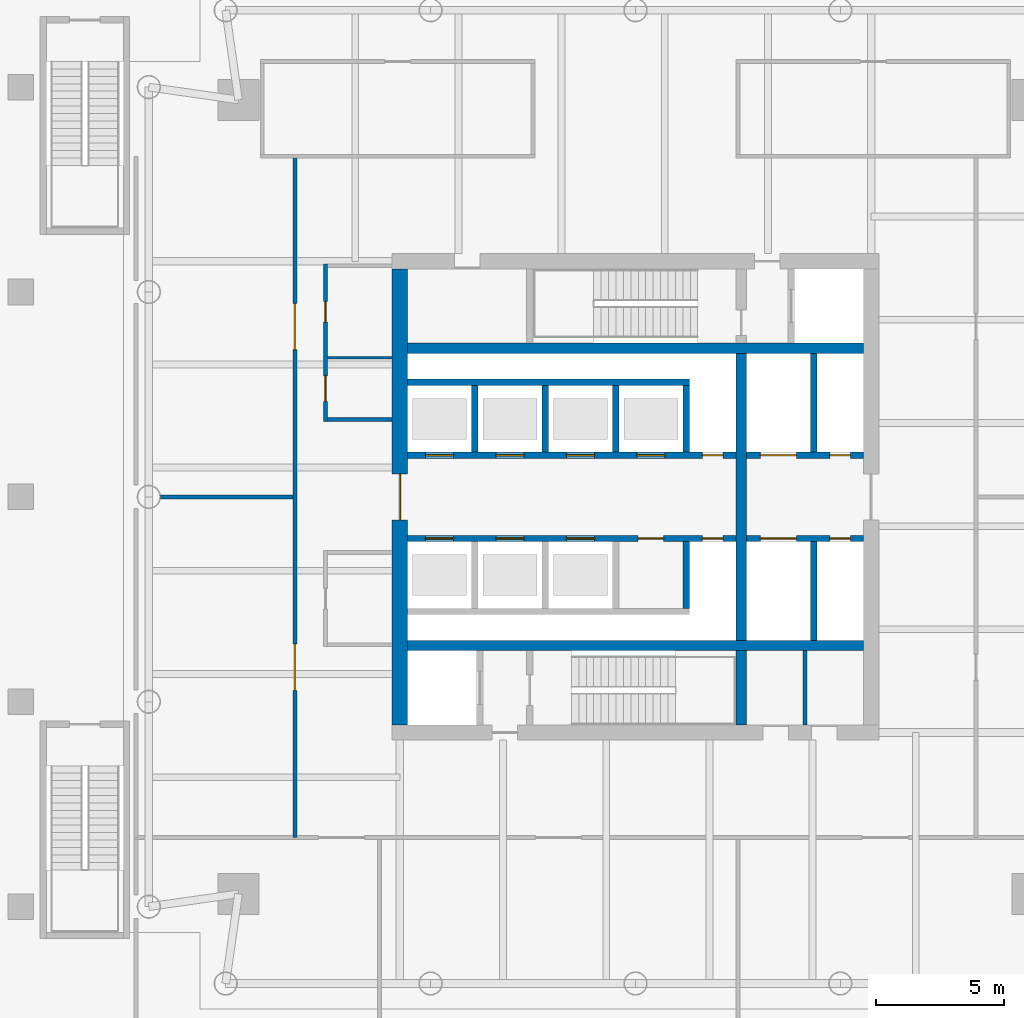
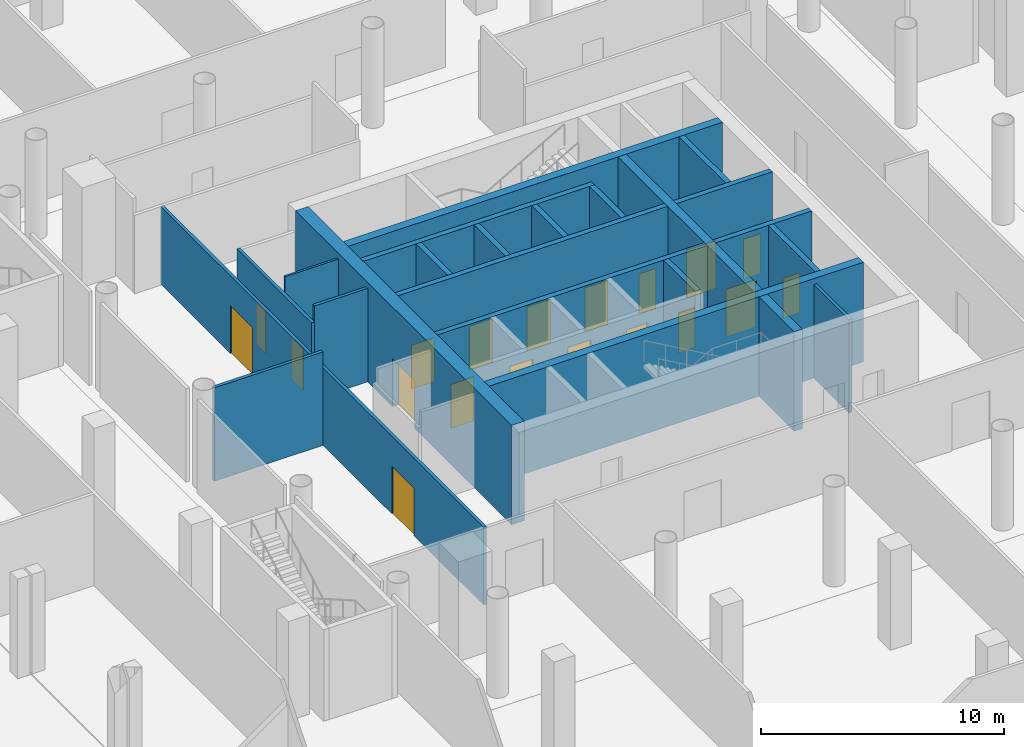
# One storey, part 13 of 22: 23 walls, 19 doors, 19 openings.
"""IFC4 building model written with IfcOpenShell, lengths in metres."""

from ifc_helpers import new_model, si_unit, direction, frame, frame_2d, origin, place, context, subcontext, project, spatial, rectangle, extrude, material, layer, layer_set, type_object, element, fill, save


model = new_model("IFC4")

# Units and contexts
model_context = context("Model", 3, precision=1e-05, world=origin(), true_north=direction((0.0, 1.0)))
body_context = subcontext(model_context, "Body", "Model", "MODEL_VIEW")
ifc_project = project(units=[si_unit("LENGTHUNIT", "METRE"), si_unit("AREAUNIT", "SQUARE_METRE"), si_unit("VOLUMEUNIT", "CUBIC_METRE"), si_unit("PLANEANGLEUNIT", "RADIAN"), si_unit("MASSUNIT", "GRAM", prefix="KILO")], contexts=[model_context])

# Site, building, storey
site_placement = place(None, origin())
site = spatial("IfcSite", under=ifc_project, at=site_placement, CompositionType="ELEMENT")
building_placement = place(site_placement, origin())
building = spatial("IfcBuilding", under=site, at=building_placement, Name="Ostroluk Exchange", CompositionType="ELEMENT")
storey_placement = place(building_placement, frame((0.0, 0.0, -5.0)))
storey = spatial("IfcBuildingStorey", under=building, at=storey_placement, Name="B1", CompositionType="ELEMENT", Elevation=-5.0)

# Walls
ifc_material_1 = material(Name="Concrete blockwork", Category="masonry")
ifc_layer_1 = layer(ifc_material_1, 0.10009765625)
ifc_layer_set_1 = layer_set([ifc_layer_1], Name="Blockwork WC wall 100")
wall_type_1 = type_object("IfcWallType", Name="Blockwork WC wall 100", PredefinedType="SOLIDWALL", material=ifc_layer_set_1)
wall_1_placement = place(storey_placement, frame((104.97509765625, 51.425048828125, 0.0), z_axis=(0.0, 0.0, 1.0), x_axis=(1.0, 0.0, 0.0)))
element("IfcWall", 1, at=wall_1_placement, inside=storey, type_object=wall_type_1, Name="Blockwork WC wall", PredefinedType="SOLIDWALL", context=body_context, shape_type="SweptSolid", body=[
    extrude(rectangle(XDim=2.52490234375, YDim=0.10009765625, at=frame_2d((1.262451171875, 0.0))), origin(), (0.0, 0.0, 1.0), 4.699951171875),
])
ifc_material_2 = material(Name="Concrete blockwork", Category="masonry")
ifc_layer_2 = layer(ifc_material_2, 0.14990234375)
ifc_layer_set_2 = layer_set([ifc_layer_2], Name="Blockwork plant room wall 150")
wall_type_2 = type_object("IfcWallType", Name="Blockwork plant room wall 150", PredefinedType="SOLIDWALL", material=ifc_layer_set_2)
wall_2_placement = place(storey_placement, frame((123.614990234375, 37.10009765625, 0.0), z_axis=(0.0, 0.0, 1.0), x_axis=(0.0, 1.0, 0.0)))
element("IfcWall", 2, at=wall_2_placement, inside=storey, type_object=wall_type_2, Name="Core room wall", PredefinedType="SOLIDWALL", context=body_context, shape_type="SweptSolid", body=[
    extrude(rectangle(XDim=2.89990234375, YDim=0.14990234375, at=frame_2d((1.449951171875, 0.0))), origin(), (0.0, 0.0, 1.0), 4.699951171875),
])
ifc_material_3 = material(Name="Concrete C50/60", Category="concrete")
ifc_layer_3 = layer(ifc_material_3, 0.39990234375)
ifc_layer_set_3 = layer_set([ifc_layer_3], Name="Core cross wall 400 C50/60")
wall_type_3 = type_object("IfcWallType", Name="Core cross wall 400 C50/60", PredefinedType="SHEAR", material=ifc_layer_set_3)
for number, where, z_axis, x_axis, name in (
    (3, (108.10009765625, 40.199951171875, 0.0), (0.0, 0.0, 1.0), (1.0, 0.0, 0.0), "T2 core wall XS"),
    (4, (108.10009765625, 51.800048828125, 0.0), (0.0, 0.0, 1.0), (1.0, 0.0, 0.0), "T2 core wall XN"),
):
    element("IfcWall", number, at=place(storey_placement, frame(where, z_axis=z_axis, x_axis=x_axis)), inside=storey, type_object=wall_type_3, Name=name, PredefinedType="SHEAR", context=body_context, shape_type="SweptSolid", body=[
        extrude(rectangle(XDim=17.7998046875, YDim=0.39990234375, at=frame_2d((8.89990234375, 0.0))), origin(), (0.0, 0.0, 1.0), 5.0),
    ])
wall_3_placement = place(storey_placement, frame((121.1298828125, 37.10009765625, 0.0), z_axis=(0.0, 0.0, 1.0), x_axis=(0.0, 1.0, 0.0)))
element("IfcWall", 5, at=wall_3_placement, inside=storey, type_object=wall_type_3, Name="T2 core wall YE1", PredefinedType="SHEAR", context=body_context, shape_type="SweptSolid", body=[
    extrude(rectangle(XDim=2.89990234375, YDim=0.39990234375, at=frame_2d((1.449951171875, 0.0))), origin(), (0.0, 0.0, 1.0), 5.0),
])
wall_4_placement = place(storey_placement, frame((121.1298828125, 40.39990234375, 0.0), z_axis=(0.0, 0.0, 1.0), x_axis=(0.0, 1.0, 0.0)))
element("IfcWall", 6, at=wall_4_placement, inside=storey, type_object=wall_type_3, Name="T2 core wall YE2", PredefinedType="SHEAR", context=body_context, shape_type="SweptSolid", body=[
    extrude(rectangle(XDim=11.2001953125, YDim=0.39990234375, at=frame_2d((5.60009765625, 0.0))), origin(), (0.0, 0.0, 1.0), 5.0),
])
ifc_material_4 = material(Name="Concrete C40/50", Category="concrete")
ifc_layer_4 = layer(ifc_material_4, 0.25)
ifc_layer_set_4 = layer_set([ifc_layer_4], Name="Core shaft wall 250")
wall_type_4 = type_object("IfcWallType", Name="Core shaft wall 250", PredefinedType="SHEAR", material=ifc_layer_set_4)
for number, where, z_axis, x_axis, name in (
    (7, (110.72509765625, 47.75, 0.0), (0.0, 0.0, 1.0), (0.0, 1.0, 0.0), "Lift shaft wall"),
    (8, (113.47509765625, 47.75, 0.0), (0.0, 0.0, 1.0), (0.0, 1.0, 0.0), "Lift shaft wall"),
    (9, (116.22509765625, 47.75, 0.0), (0.0, 0.0, 1.0), (0.0, 1.0, 0.0), "Lift shaft wall"),
    (10, (118.97509765625, 47.75, 0.0), (0.0, 0.0, 1.0), (0.0, 1.0, 0.0), "Lift shaft wall"),
):
    element("IfcWall", number, at=place(storey_placement, frame(where, z_axis=z_axis, x_axis=x_axis)), inside=storey, type_object=wall_type_4, Name=name, PredefinedType="SHEAR", context=body_context, shape_type="SweptSolid", body=[
        extrude(rectangle(XDim=2.60009765625, YDim=0.25, at=frame_2d((1.300048828125, 0.0))), origin(), (0.0, 0.0, 1.0), 5.0),
    ])
wall_5_placement = place(storey_placement, frame((108.10009765625, 50.47509765625, 0.0), z_axis=(0.0, 0.0, 1.0), x_axis=(1.0, 0.0, 0.0)))
element("IfcWall", 11, at=wall_5_placement, inside=storey, type_object=wall_type_4, Name="Lift shaft wall", PredefinedType="SHEAR", context=body_context, shape_type="SweptSolid", body=[
    extrude(rectangle(XDim=11.0, YDim=0.25, at=frame_2d((5.5, 0.0))), origin(), (0.0, 0.0, 1.0), 5.0),
])

# Wall, openings, doors
wall_6_placement = place(storey_placement, frame((108.10009765625, 47.625, 0.0), z_axis=(0.0, 0.0, 1.0), x_axis=(1.0, 0.0, 0.0)))
wall_6 = element("IfcWall", 12, at=wall_6_placement, inside=storey, type_object=wall_type_4, Name="Lift shaft front wall", PredefinedType="SHEAR", context=body_context, shape_type="SweptSolid", body=[
    extrude(rectangle(XDim=12.829833984375, YDim=0.25, at=frame_2d((6.4150390625, 0.0))), origin(), (0.0, 0.0, 1.0), 5.0),
])
opening_1_placement = place(wall_6_placement, frame((0.699951171875, 0.0, 0.0)))
opening_1 = element("IfcOpeningElement", 13, at=opening_1_placement, cuts=wall_6, Name="Opening LD", PredefinedType="OPENING", context=body_context, shape_type="SweptSolid", body=[
    extrude(rectangle(XDim=1.10009765625, YDim=2.199951171875, at=frame_2d((0.550048828125, 1.10009765625))), frame((0.0, 0.135009765625, 0.0), z_axis=(0.0, -1.0, 0.0), x_axis=(1.0, 0.0, 0.0)), (0.0, 0.0, 1.0), 0.27001953125),
])
opening_2_placement = place(wall_6_placement, frame((3.449951171875, 0.0, 0.0)))
opening_2 = element("IfcOpeningElement", 14, at=opening_2_placement, cuts=wall_6, Name="Opening LD", PredefinedType="OPENING", context=body_context, shape_type="SweptSolid", body=[
    extrude(rectangle(XDim=1.10009765625, YDim=2.199951171875, at=frame_2d((0.550048828125, 1.10009765625))), frame((0.0, 0.135009765625, 0.0), z_axis=(0.0, -1.0, 0.0), x_axis=(1.0, 0.0, 0.0)), (0.0, 0.0, 1.0), 0.27001953125),
])
opening_3_placement = place(wall_6_placement, frame((6.199951171875, 0.0, 0.0)))
opening_3 = element("IfcOpeningElement", 15, at=opening_3_placement, cuts=wall_6, Name="Opening LD", PredefinedType="OPENING", context=body_context, shape_type="SweptSolid", body=[
    extrude(rectangle(XDim=1.10009765625, YDim=2.199951171875, at=frame_2d((0.550048828125, 1.10009765625))), frame((0.0, 0.135009765625, 0.0), z_axis=(0.0, -1.0, 0.0), x_axis=(1.0, 0.0, 0.0)), (0.0, 0.0, 1.0), 0.27001953125),
])
opening_4_placement = place(wall_6_placement, frame((8.949951171875, 0.0, 0.0)))
opening_4 = element("IfcOpeningElement", 16, at=opening_4_placement, cuts=wall_6, Name="Opening LD", PredefinedType="OPENING", context=body_context, shape_type="SweptSolid", body=[
    extrude(rectangle(XDim=1.10009765625, YDim=2.199951171875, at=frame_2d((0.550048828125, 1.10009765625))), frame((0.0, 0.135009765625, 0.0), z_axis=(0.0, -1.0, 0.0), x_axis=(1.0, 0.0, 0.0)), (0.0, 0.0, 1.0), 0.27001953125),
])
opening_5_placement = place(wall_6_placement, frame((11.514892578125, 0.0, 0.0)))
opening_5 = element("IfcOpeningElement", 17, at=opening_5_placement, cuts=wall_6, Name="Opening RD60", PredefinedType="OPENING", context=body_context, shape_type="SweptSolid", body=[
    extrude(rectangle(XDim=0.800048828125, YDim=2.0, at=frame_2d((0.39990234375, 1.0))), frame((0.0, 0.135009765625, 0.0), z_axis=(0.0, -1.0, 0.0), x_axis=(1.0, 0.0, 0.0)), (0.0, 0.0, 1.0), 0.27001953125),
])
ifc_material_5 = material(Name="Stainless steel", Category="steel")
door_type_1 = type_object("IfcDoorType", Name="Lift landing door E 60 1100 x 2200", OperationType="DOUBLE_DOOR_SLIDING", PredefinedType="DOOR", material=ifc_material_5)
door_1_placement = place(opening_1_placement, origin())
door_1 = element("IfcDoor", 18, at=door_1_placement, inside=storey, type_object=door_type_1, Name="Lift HL1 landing door", OperationType="DOUBLE_DOOR_SLIDING", OverallHeight=2.199951171875, OverallWidth=1.10009765625, PredefinedType="DOOR", context=body_context, shape_type="SweptSolid", body=[
    extrude(rectangle(XDim=1.10009765625, YDim=2.199951171875, at=frame_2d((0.550048828125, 1.10009765625))), frame((0.0, 0.02490234375, 0.0), z_axis=(0.0, -1.0, 0.0), x_axis=(1.0, 0.0, 0.0)), (0.0, 0.0, 1.0), 0.050048828125),
])
fill(opening_1, door_1)
door_2_placement = place(opening_2_placement, origin())
door_2 = element("IfcDoor", 19, at=door_2_placement, inside=storey, type_object=door_type_1, Name="Lift HL2 landing door", OperationType="DOUBLE_DOOR_SLIDING", OverallHeight=2.199951171875, OverallWidth=1.10009765625, PredefinedType="DOOR", context=body_context, shape_type="SweptSolid", body=[
    extrude(rectangle(XDim=1.10009765625, YDim=2.199951171875, at=frame_2d((0.550048828125, 1.10009765625))), frame((0.0, 0.02490234375, 0.0), z_axis=(0.0, -1.0, 0.0), x_axis=(1.0, 0.0, 0.0)), (0.0, 0.0, 1.0), 0.050048828125),
])
fill(opening_2, door_2)
door_3_placement = place(opening_3_placement, origin())
door_3 = element("IfcDoor", 20, at=door_3_placement, inside=storey, type_object=door_type_1, Name="Lift HL3 landing door", OperationType="DOUBLE_DOOR_SLIDING", OverallHeight=2.199951171875, OverallWidth=1.10009765625, PredefinedType="DOOR", context=body_context, shape_type="SweptSolid", body=[
    extrude(rectangle(XDim=1.10009765625, YDim=2.199951171875, at=frame_2d((0.550048828125, 1.10009765625))), frame((0.0, 0.02490234375, 0.0), z_axis=(0.0, -1.0, 0.0), x_axis=(1.0, 0.0, 0.0)), (0.0, 0.0, 1.0), 0.050048828125),
])
fill(opening_3, door_3)
door_4_placement = place(opening_4_placement, origin())
door_4 = element("IfcDoor", 21, at=door_4_placement, inside=storey, type_object=door_type_1, Name="Lift HL4 landing door", OperationType="DOUBLE_DOOR_SLIDING", OverallHeight=2.199951171875, OverallWidth=1.10009765625, PredefinedType="DOOR", context=body_context, shape_type="SweptSolid", body=[
    extrude(rectangle(XDim=1.10009765625, YDim=2.199951171875, at=frame_2d((0.550048828125, 1.10009765625))), frame((0.0, 0.02490234375, 0.0), z_axis=(0.0, -1.0, 0.0), x_axis=(1.0, 0.0, 0.0)), (0.0, 0.0, 1.0), 0.050048828125),
])
fill(opening_4, door_4)
ifc_material_6 = material(Name="Steel", Category="steel")
door_type_2 = type_object("IfcDoorType", Name="Riser access door EI 60 800 x 2000", OperationType="SINGLE_SWING_LEFT", PredefinedType="DOOR", material=ifc_material_6)
door_5_placement = place(opening_5_placement, origin())
door_5 = element("IfcDoor", 22, at=door_5_placement, inside=storey, type_object=door_type_2, Name="Riser access door", OperationType="SINGLE_SWING_RIGHT", OverallHeight=2.0, OverallWidth=0.800048828125, PredefinedType="DOOR", context=body_context, shape_type="SweptSolid", body=[
    extrude(rectangle(XDim=0.800048828125, YDim=2.0, at=frame_2d((0.39990234375, 1.0))), frame((0.0, 0.02490234375, 0.0), z_axis=(0.0, -1.0, 0.0), x_axis=(1.0, 0.0, 0.0)), (0.0, 0.0, 1.0), 0.050048828125),
])
fill(opening_5, door_5)

# Wall
wall_7_placement = place(storey_placement, frame((118.97509765625, 44.25, 0.0), z_axis=(0.0, 0.0, 1.0), x_axis=(0.0, -1.0, 0.0)))
element("IfcWall", 23, at=wall_7_placement, inside=storey, type_object=wall_type_4, Name="Lift shaft wall", PredefinedType="SHEAR", context=body_context, shape_type="SweptSolid", body=[
    extrude(rectangle(XDim=2.60009765625, YDim=0.25, at=frame_2d((1.300048828125, 0.0))), origin(), (0.0, 0.0, 1.0), 5.0),
])

# Wall, openings, doors
wall_8_placement = place(storey_placement, frame((108.10009765625, 44.375, 0.0), z_axis=(0.0, 0.0, 1.0), x_axis=(1.0, 0.0, 0.0)))
wall_8 = element("IfcWall", 24, at=wall_8_placement, inside=storey, type_object=wall_type_4, Name="Lift shaft front wall", PredefinedType="SHEAR", context=body_context, shape_type="SweptSolid", body=[
    extrude(rectangle(XDim=12.829833984375, YDim=0.25, at=frame_2d((6.4150390625, 0.0))), origin(), (0.0, 0.0, 1.0), 5.0),
])
opening_6_placement = place(wall_8_placement, frame((0.699951171875, 0.0, 0.0)))
opening_6 = element("IfcOpeningElement", 25, at=opening_6_placement, cuts=wall_8, Name="Opening LD", PredefinedType="OPENING", context=body_context, shape_type="SweptSolid", body=[
    extrude(rectangle(XDim=1.10009765625, YDim=2.199951171875, at=frame_2d((0.550048828125, 1.10009765625))), frame((0.0, 0.135009765625, 0.0), z_axis=(0.0, -1.0, 0.0), x_axis=(1.0, 0.0, 0.0)), (0.0, 0.0, 1.0), 0.27001953125),
])
opening_7_placement = place(wall_8_placement, frame((3.449951171875, 0.0, 0.0)))
opening_7 = element("IfcOpeningElement", 26, at=opening_7_placement, cuts=wall_8, Name="Opening LD", PredefinedType="OPENING", context=body_context, shape_type="SweptSolid", body=[
    extrude(rectangle(XDim=1.10009765625, YDim=2.199951171875, at=frame_2d((0.550048828125, 1.10009765625))), frame((0.0, 0.135009765625, 0.0), z_axis=(0.0, -1.0, 0.0), x_axis=(1.0, 0.0, 0.0)), (0.0, 0.0, 1.0), 0.27001953125),
])
opening_8_placement = place(wall_8_placement, frame((6.199951171875, 0.0, 0.0)))
opening_8 = element("IfcOpeningElement", 27, at=opening_8_placement, cuts=wall_8, Name="Opening LD", PredefinedType="OPENING", context=body_context, shape_type="SweptSolid", body=[
    extrude(rectangle(XDim=1.10009765625, YDim=2.199951171875, at=frame_2d((0.550048828125, 1.10009765625))), frame((0.0, 0.135009765625, 0.0), z_axis=(0.0, -1.0, 0.0), x_axis=(1.0, 0.0, 0.0)), (0.0, 0.0, 1.0), 0.27001953125),
])
opening_9_placement = place(wall_8_placement, frame((9.0, 0.0, 0.0)))
opening_9 = element("IfcOpeningElement", 28, at=opening_9_placement, cuts=wall_8, Name="Opening FD60", PredefinedType="OPENING", context=body_context, shape_type="SweptSolid", body=[
    extrude(rectangle(XDim=1.0, YDim=2.10009765625, at=frame_2d((0.5, 1.050048828125))), frame((0.0, 0.135009765625, 0.0), z_axis=(0.0, -1.0, 0.0), x_axis=(1.0, 0.0, 0.0)), (0.0, 0.0, 1.0), 0.27001953125),
])
opening_10_placement = place(wall_8_placement, frame((11.514892578125, 0.0, 0.0)))
opening_10 = element("IfcOpeningElement", 29, at=opening_10_placement, cuts=wall_8, Name="Opening RD60", PredefinedType="OPENING", context=body_context, shape_type="SweptSolid", body=[
    extrude(rectangle(XDim=0.800048828125, YDim=2.0, at=frame_2d((0.39990234375, 1.0))), frame((0.0, 0.135009765625, 0.0), z_axis=(0.0, -1.0, 0.0), x_axis=(1.0, 0.0, 0.0)), (0.0, 0.0, 1.0), 0.27001953125),
])
ifc_material_7 = material(Name="Steel", Category="steel")
door_type_3 = type_object("IfcDoorType", Name="Fire door EI 60 1000 x 2100", OperationType="SINGLE_SWING_LEFT", PredefinedType="DOOR", material=ifc_material_7)
door_6_placement = place(opening_9_placement, origin())
door_6 = element("IfcDoor", 30, at=door_6_placement, inside=storey, type_object=door_type_3, Name="Core room door", OperationType="SINGLE_SWING_RIGHT", OverallHeight=2.10009765625, OverallWidth=1.0, PredefinedType="DOOR", context=body_context, shape_type="SweptSolid", body=[
    extrude(rectangle(XDim=1.0, YDim=2.10009765625, at=frame_2d((0.5, 1.050048828125))), frame((0.0, 0.02490234375, 0.0), z_axis=(0.0, -1.0, 0.0), x_axis=(1.0, 0.0, 0.0)), (0.0, 0.0, 1.0), 0.050048828125),
])
fill(opening_9, door_6)
door_7_placement = place(opening_6_placement, origin())
door_7 = element("IfcDoor", 31, at=door_7_placement, inside=storey, type_object=door_type_1, Name="Lift HL5 landing door", OperationType="DOUBLE_DOOR_SLIDING", OverallHeight=2.199951171875, OverallWidth=1.10009765625, PredefinedType="DOOR", context=body_context, shape_type="SweptSolid", body=[
    extrude(rectangle(XDim=1.10009765625, YDim=2.199951171875, at=frame_2d((0.550048828125, 1.10009765625))), frame((0.0, 0.02490234375, 0.0), z_axis=(0.0, -1.0, 0.0), x_axis=(1.0, 0.0, 0.0)), (0.0, 0.0, 1.0), 0.050048828125),
])
fill(opening_6, door_7)
door_8_placement = place(opening_7_placement, origin())
door_8 = element("IfcDoor", 32, at=door_8_placement, inside=storey, type_object=door_type_1, Name="Lift HL6 landing door", OperationType="DOUBLE_DOOR_SLIDING", OverallHeight=2.199951171875, OverallWidth=1.10009765625, PredefinedType="DOOR", context=body_context, shape_type="SweptSolid", body=[
    extrude(rectangle(XDim=1.10009765625, YDim=2.199951171875, at=frame_2d((0.550048828125, 1.10009765625))), frame((0.0, 0.02490234375, 0.0), z_axis=(0.0, -1.0, 0.0), x_axis=(1.0, 0.0, 0.0)), (0.0, 0.0, 1.0), 0.050048828125),
])
fill(opening_7, door_8)
door_9_placement = place(opening_8_placement, origin())
door_9 = element("IfcDoor", 33, at=door_9_placement, inside=storey, type_object=door_type_1, Name="Lift HL7 landing door", OperationType="DOUBLE_DOOR_SLIDING", OverallHeight=2.199951171875, OverallWidth=1.10009765625, PredefinedType="DOOR", context=body_context, shape_type="SweptSolid", body=[
    extrude(rectangle(XDim=1.10009765625, YDim=2.199951171875, at=frame_2d((0.550048828125, 1.10009765625))), frame((0.0, 0.02490234375, 0.0), z_axis=(0.0, -1.0, 0.0), x_axis=(1.0, 0.0, 0.0)), (0.0, 0.0, 1.0), 0.050048828125),
])
fill(opening_8, door_9)
door_10_placement = place(opening_10_placement, origin())
door_10 = element("IfcDoor", 34, at=door_10_placement, inside=storey, type_object=door_type_2, Name="Riser access door", OperationType="SINGLE_SWING_RIGHT", OverallHeight=2.0, OverallWidth=0.800048828125, PredefinedType="DOOR", context=body_context, shape_type="SweptSolid", body=[
    extrude(rectangle(XDim=0.800048828125, YDim=2.0, at=frame_2d((0.39990234375, 1.0))), frame((0.0, 0.02490234375, 0.0), z_axis=(0.0, -1.0, 0.0), x_axis=(1.0, 0.0, 0.0)), (0.0, 0.0, 1.0), 0.050048828125),
])
fill(opening_10, door_10)

# Wall
wall_9_placement = place(storey_placement, frame((123.955078125, 47.75, 0.0), z_axis=(0.0, 0.0, 1.0), x_axis=(0.0, 1.0, 0.0)))
element("IfcWall", 35, at=wall_9_placement, inside=storey, type_object=wall_type_4, Name="Lift shaft wall", PredefinedType="SHEAR", context=body_context, shape_type="SweptSolid", body=[
    extrude(rectangle(XDim=3.85009765625, YDim=0.25, at=frame_2d((1.925048828125, 0.0))), origin(), (0.0, 0.0, 1.0), 5.0),
])

# Wall, openings, doors
wall_10_placement = place(storey_placement, frame((121.330078125, 47.625, 0.0), z_axis=(0.0, 0.0, 1.0), x_axis=(1.0, 0.0, 0.0)))
wall_10 = element("IfcWall", 36, at=wall_10_placement, inside=storey, type_object=wall_type_4, Name="Lift shaft front wall", PredefinedType="SHEAR", context=body_context, shape_type="SweptSolid", body=[
    extrude(rectangle(XDim=4.56982421875, YDim=0.25, at=frame_2d((2.284912109375, 0.0))), origin(), (0.0, 0.0, 1.0), 5.0),
])
opening_11_placement = place(wall_10_placement, frame((0.550048828125, 0.0, 0.0)))
opening_11 = element("IfcOpeningElement", 37, at=opening_11_placement, cuts=wall_10, Name="Opening LD3", PredefinedType="OPENING", context=body_context, shape_type="SweptSolid", body=[
    extrude(rectangle(XDim=1.39990234375, YDim=2.39990234375, at=frame_2d((0.699951171875, 1.199951171875))), frame((0.0, 0.135009765625, 0.0), z_axis=(0.0, -1.0, 0.0), x_axis=(1.0, 0.0, 0.0)), (0.0, 0.0, 1.0), 0.27001953125),
])
opening_12_placement = place(wall_10_placement, frame((3.260009765625, 0.0, 0.0)))
opening_12 = element("IfcOpeningElement", 38, at=opening_12_placement, cuts=wall_10, Name="Opening RD60", PredefinedType="OPENING", context=body_context, shape_type="SweptSolid", body=[
    extrude(rectangle(XDim=0.800048828125, YDim=2.0, at=frame_2d((0.39990234375, 1.0))), frame((0.0, 0.135009765625, 0.0), z_axis=(0.0, -1.0, 0.0), x_axis=(1.0, 0.0, 0.0)), (0.0, 0.0, 1.0), 0.27001953125),
])
ifc_material_8 = material(Name="Stainless steel", Category="steel")
door_type_4 = type_object("IfcDoorType", Name="Goods lift landing door E 60 1400 x 2400", OperationType="DOUBLE_DOOR_SLIDING", PredefinedType="DOOR", material=ifc_material_8)
door_11_placement = place(opening_11_placement, origin())
door_11 = element("IfcDoor", 39, at=door_11_placement, inside=storey, type_object=door_type_4, Name="Lift HS1 landing door", OperationType="DOUBLE_DOOR_SLIDING", OverallHeight=2.39990234375, OverallWidth=1.39990234375, PredefinedType="DOOR", context=body_context, shape_type="SweptSolid", body=[
    extrude(rectangle(XDim=1.39990234375, YDim=2.39990234375, at=frame_2d((0.699951171875, 1.199951171875))), frame((0.0, 0.02490234375, 0.0), z_axis=(0.0, -1.0, 0.0), x_axis=(1.0, 0.0, 0.0)), (0.0, 0.0, 1.0), 0.050048828125),
])
fill(opening_11, door_11)
door_12_placement = place(opening_12_placement, origin())
door_12 = element("IfcDoor", 40, at=door_12_placement, inside=storey, type_object=door_type_2, Name="Riser access door", OperationType="SINGLE_SWING_RIGHT", OverallHeight=2.0, OverallWidth=0.800048828125, PredefinedType="DOOR", context=body_context, shape_type="SweptSolid", body=[
    extrude(rectangle(XDim=0.800048828125, YDim=2.0, at=frame_2d((0.39990234375, 1.0))), frame((0.0, 0.02490234375, 0.0), z_axis=(0.0, -1.0, 0.0), x_axis=(1.0, 0.0, 0.0)), (0.0, 0.0, 1.0), 0.050048828125),
])
fill(opening_12, door_12)

# Wall
wall_11_placement = place(storey_placement, frame((123.955078125, 44.25, 0.0), z_axis=(0.0, 0.0, 1.0), x_axis=(0.0, -1.0, 0.0)))
element("IfcWall", 41, at=wall_11_placement, inside=storey, type_object=wall_type_4, Name="Lift shaft wall", PredefinedType="SHEAR", context=body_context, shape_type="SweptSolid", body=[
    extrude(rectangle(XDim=3.85009765625, YDim=0.25, at=frame_2d((1.925048828125, 0.0))), origin(), (0.0, 0.0, 1.0), 5.0),
])

# Wall, openings, doors
wall_12_placement = place(storey_placement, frame((121.330078125, 44.375, 0.0), z_axis=(0.0, 0.0, 1.0), x_axis=(1.0, 0.0, 0.0)))
wall_12 = element("IfcWall", 42, at=wall_12_placement, inside=storey, type_object=wall_type_4, Name="Lift shaft front wall", PredefinedType="SHEAR", context=body_context, shape_type="SweptSolid", body=[
    extrude(rectangle(XDim=4.56982421875, YDim=0.25, at=frame_2d((2.284912109375, 0.0))), origin(), (0.0, 0.0, 1.0), 5.0),
])
opening_13_placement = place(wall_12_placement, frame((0.550048828125, 0.0, 0.0)))
opening_13 = element("IfcOpeningElement", 43, at=opening_13_placement, cuts=wall_12, Name="Opening LD3", PredefinedType="OPENING", context=body_context, shape_type="SweptSolid", body=[
    extrude(rectangle(XDim=1.39990234375, YDim=2.39990234375, at=frame_2d((0.699951171875, 1.199951171875))), frame((0.0, 0.135009765625, 0.0), z_axis=(0.0, -1.0, 0.0), x_axis=(1.0, 0.0, 0.0)), (0.0, 0.0, 1.0), 0.27001953125),
])
opening_14_placement = place(wall_12_placement, frame((3.260009765625, 0.0, 0.0)))
opening_14 = element("IfcOpeningElement", 44, at=opening_14_placement, cuts=wall_12, Name="Opening RD60", PredefinedType="OPENING", context=body_context, shape_type="SweptSolid", body=[
    extrude(rectangle(XDim=0.800048828125, YDim=2.0, at=frame_2d((0.39990234375, 1.0))), frame((0.0, 0.135009765625, 0.0), z_axis=(0.0, -1.0, 0.0), x_axis=(1.0, 0.0, 0.0)), (0.0, 0.0, 1.0), 0.27001953125),
])
door_13_placement = place(opening_13_placement, origin())
door_13 = element("IfcDoor", 45, at=door_13_placement, inside=storey, type_object=door_type_4, Name="Lift HS2 landing door", OperationType="DOUBLE_DOOR_SLIDING", OverallHeight=2.39990234375, OverallWidth=1.39990234375, PredefinedType="DOOR", context=body_context, shape_type="SweptSolid", body=[
    extrude(rectangle(XDim=1.39990234375, YDim=2.39990234375, at=frame_2d((0.699951171875, 1.199951171875))), frame((0.0, 0.02490234375, 0.0), z_axis=(0.0, -1.0, 0.0), x_axis=(1.0, 0.0, 0.0)), (0.0, 0.0, 1.0), 0.050048828125),
])
fill(opening_13, door_13)
door_14_placement = place(opening_14_placement, origin())
door_14 = element("IfcDoor", 46, at=door_14_placement, inside=storey, type_object=door_type_2, Name="Riser access door", OperationType="SINGLE_SWING_RIGHT", OverallHeight=2.0, OverallWidth=0.800048828125, PredefinedType="DOOR", context=body_context, shape_type="SweptSolid", body=[
    extrude(rectangle(XDim=0.800048828125, YDim=2.0, at=frame_2d((0.39990234375, 1.0))), frame((0.0, 0.02490234375, 0.0), z_axis=(0.0, -1.0, 0.0), x_axis=(1.0, 0.0, 0.0)), (0.0, 0.0, 1.0), 0.050048828125),
])
fill(opening_14, door_14)

# Wall, opening, door
ifc_material_9 = material(Name="Concrete C50/60", Category="concrete")
ifc_layer_5 = layer(ifc_material_9, 0.60009765625)
ifc_layer_set_5 = layer_set([ifc_layer_5], Name="Core wall 600 C50/60")
wall_type_5 = type_object("IfcWallType", Name="Core wall 600 C50/60", PredefinedType="SHEAR", material=ifc_layer_set_5)
wall_13_placement = place(storey_placement, frame((107.800048828125, 37.10009765625, 0.0), z_axis=(0.0, 0.0, 1.0), x_axis=(0.0, 1.0, 0.0)))
wall_13 = element("IfcWall", 47, at=wall_13_placement, inside=storey, type_object=wall_type_5, Name="T2 core wall W", PredefinedType="SHEAR", context=body_context, shape_type="SweptSolid", body=[
    extrude(rectangle(XDim=17.7998046875, YDim=0.60009765625, at=frame_2d((8.89990234375, 0.0))), origin(), (0.0, 0.0, 1.0), 5.0),
])
opening_15_placement = place(wall_13_placement, frame((8.0, 0.0, 0.0)))
opening_15 = element("IfcOpeningElement", 48, at=opening_15_placement, cuts=wall_13, Name="Opening FD30D", PredefinedType="OPENING", context=body_context, shape_type="SweptSolid", body=[
    extrude(rectangle(XDim=1.800048828125, YDim=2.39990234375, at=frame_2d((0.89990234375, 1.199951171875))), frame((0.0, 0.31005859375, 0.0), z_axis=(0.0, -1.0, 0.0), x_axis=(1.0, 0.0, 0.0)), (0.0, 0.0, 1.0), 0.6201171875),
])
ifc_material_10 = material(Name="Timber", Category="wood")
door_type_5 = type_object("IfcDoorType", Name="Lobby double door EI 30 1800 x 2400", OperationType="DOUBLE_DOOR_SINGLE_SWING", PredefinedType="DOOR", material=ifc_material_10)
door_15_placement = place(opening_15_placement, origin())
door_15 = element("IfcDoor", 49, at=door_15_placement, inside=storey, type_object=door_type_5, Name="Lift lobby doors", OperationType="DOUBLE_DOOR_SINGLE_SWING", OverallHeight=2.39990234375, OverallWidth=1.800048828125, PredefinedType="DOOR", context=body_context, shape_type="SweptSolid", body=[
    extrude(rectangle(XDim=1.800048828125, YDim=2.39990234375, at=frame_2d((0.89990234375, 1.199951171875))), frame((0.0, 0.02490234375, 0.0), z_axis=(0.0, -1.0, 0.0), x_axis=(1.0, 0.0, 0.0)), (0.0, 0.0, 1.0), 0.050048828125),
])
fill(opening_15, door_15)

# Wall, openings, doors
ifc_material_11 = material(Name="Gypsum plasterboard partition", Category="gypsum")
ifc_layer_6 = layer(ifc_material_11, 0.14990234375)
ifc_layer_set_6 = layer_set([ifc_layer_6], Name="Plasterboard partition 150")
wall_type_6 = type_object("IfcWallType", Name="Plasterboard partition 150", PredefinedType="PARTITIONING", material=ifc_layer_set_6)
wall_14_placement = place(storey_placement, frame((103.699951171875, 32.699951171875, 0.0), z_axis=(0.0, 0.0, 1.0), x_axis=(0.0, 1.0, 0.0)))
wall_14 = element("IfcWall", 50, at=wall_14_placement, inside=storey, type_object=wall_type_6, Name="Partition", PredefinedType="PARTITIONING", context=body_context, shape_type="SweptSolid", body=[
    extrude(rectangle(XDim=26.60009765625, YDim=0.14990234375, at=frame_2d((13.300048828125, 0.0))), origin(), (0.0, 0.0, 1.0), 3.89990234375),
])
opening_16_placement = place(wall_14_placement, frame((5.75, 0.0, 0.0)))
opening_16 = element("IfcOpeningElement", 51, at=opening_16_placement, cuts=wall_14, Name="Opening D-04", PredefinedType="OPENING", context=body_context, shape_type="SweptSolid", body=[
    extrude(rectangle(XDim=1.800048828125, YDim=2.39990234375, at=frame_2d((0.89990234375, 1.199951171875))), frame((0.0, 0.0849609375, 0.0), z_axis=(0.0, -1.0, 0.0), x_axis=(1.0, 0.0, 0.0)), (0.0, 0.0, 1.0), 0.169921875),
])
opening_17_placement = place(wall_14_placement, frame((19.050048828125, 0.0, 0.0)))
opening_17 = element("IfcOpeningElement", 52, at=opening_17_placement, cuts=wall_14, Name="Opening D-04", PredefinedType="OPENING", context=body_context, shape_type="SweptSolid", body=[
    extrude(rectangle(XDim=1.800048828125, YDim=2.39990234375, at=frame_2d((0.89990234375, 1.199951171875))), frame((0.0, 0.0849609375, 0.0), z_axis=(0.0, -1.0, 0.0), x_axis=(1.0, 0.0, 0.0)), (0.0, 0.0, 1.0), 0.169921875),
])
ifc_material_12 = material(Name="Timber", Category="wood")
door_type_6 = type_object("IfcDoorType", Name="Double door 1800 x 2400", OperationType="DOUBLE_DOOR_SINGLE_SWING", PredefinedType="DOOR", material=ifc_material_12)
door_16_placement = place(opening_16_placement, origin())
door_16 = element("IfcDoor", 53, at=door_16_placement, inside=storey, type_object=door_type_6, Name="Hotel staff canteen door", OperationType="DOUBLE_DOOR_SINGLE_SWING", OverallHeight=2.39990234375, OverallWidth=1.800048828125, PredefinedType="DOOR", context=body_context, shape_type="SweptSolid", body=[
    extrude(rectangle(XDim=1.800048828125, YDim=2.39990234375, at=frame_2d((0.89990234375, 1.199951171875))), frame((0.0, 0.02490234375, 0.0), z_axis=(0.0, -1.0, 0.0), x_axis=(1.0, 0.0, 0.0)), (0.0, 0.0, 1.0), 0.050048828125),
])
fill(opening_16, door_16)
door_17_placement = place(opening_17_placement, origin())
door_17 = element("IfcDoor", 54, at=door_17_placement, inside=storey, type_object=door_type_6, Name="Hotel staff room door", OperationType="DOUBLE_DOOR_SINGLE_SWING", OverallHeight=2.39990234375, OverallWidth=1.800048828125, PredefinedType="DOOR", context=body_context, shape_type="SweptSolid", body=[
    extrude(rectangle(XDim=1.800048828125, YDim=2.39990234375, at=frame_2d((0.89990234375, 1.199951171875))), frame((0.0, 0.02490234375, 0.0), z_axis=(0.0, -1.0, 0.0), x_axis=(1.0, 0.0, 0.0)), (0.0, 0.0, 1.0), 0.050048828125),
])
fill(opening_17, door_17)

# Wall
wall_15_placement = place(storey_placement, frame((98.45703125, 46.0, 0.0), z_axis=(0.0, 0.0, 1.0), x_axis=(1.0, 0.0, 0.0)))
element("IfcWall", 55, at=wall_15_placement, inside=storey, type_object=wall_type_6, Name="Partition", PredefinedType="PARTITIONING", context=body_context, shape_type="SweptSolid", body=[
    extrude(rectangle(XDim=5.16796875, YDim=0.14990234375, at=frame_2d((2.583984375, 0.0))), origin(), (0.0, 0.0, 1.0), 4.699951171875),
])

# Wall, openings, doors
ifc_material_13 = material(Name="Gypsum plasterboard partition, moisture resistant", Category="gypsum")
ifc_layer_7 = layer(ifc_material_13, 0.14990234375)
ifc_layer_set_7 = layer_set([ifc_layer_7], Name="Plasterboard toilet partition 150")
wall_type_7 = type_object("IfcWallType", Name="Plasterboard toilet partition 150", PredefinedType="PARTITIONING", material=ifc_layer_set_7)
wall_16_placement = place(storey_placement, frame((104.89990234375, 55.10009765625, 0.0), z_axis=(0.0, 0.0, 1.0), x_axis=(0.0, -1.0, 0.0)))
wall_16 = element("IfcWall", 56, at=wall_16_placement, inside=storey, type_object=wall_type_7, Name="Toilet partition", PredefinedType="PARTITIONING", context=body_context, shape_type="SweptSolid", body=[
    extrude(rectangle(XDim=6.150146484375, YDim=0.14990234375, at=frame_2d((3.0751953125, 0.0))), origin(), (0.0, 0.0, 1.0), 3.89990234375),
])
opening_18_placement = place(wall_16_placement, frame((1.47509765625, 0.0, 0.0)))
opening_18 = element("IfcOpeningElement", 57, at=opening_18_placement, cuts=wall_16, Name="Opening D-06", PredefinedType="OPENING", context=body_context, shape_type="SweptSolid", body=[
    extrude(rectangle(XDim=0.800048828125, YDim=2.10009765625, at=frame_2d((0.39990234375, 1.050048828125))), frame((0.0, 0.0849609375, 0.0), z_axis=(0.0, -1.0, 0.0), x_axis=(1.0, 0.0, 0.0)), (0.0, 0.0, 1.0), 0.169921875),
])
opening_19_placement = place(wall_16_placement, frame((4.375, 0.0, 0.0)))
opening_19 = element("IfcOpeningElement", 58, at=opening_19_placement, cuts=wall_16, Name="Opening D-03", PredefinedType="OPENING", context=body_context, shape_type="SweptSolid", body=[
    extrude(rectangle(XDim=1.0, YDim=2.10009765625, at=frame_2d((0.5, 1.050048828125))), frame((0.0, 0.0849609375, 0.0), z_axis=(0.0, -1.0, 0.0), x_axis=(1.0, 0.0, 0.0)), (0.0, 0.0, 1.0), 0.169921875),
])
ifc_material_14 = material(Name="Timber", Category="wood")
door_type_7 = type_object("IfcDoorType", Name="Internal door 1000 x 2100", OperationType="SINGLE_SWING_LEFT", PredefinedType="DOOR", material=ifc_material_14)
door_18_placement = place(opening_19_placement, origin())
door_18 = element("IfcDoor", 59, at=door_18_placement, inside=storey, type_object=door_type_7, Name="Accessible WC door", OperationType="SINGLE_SWING_RIGHT", OverallHeight=2.10009765625, OverallWidth=1.0, PredefinedType="DOOR", context=body_context, shape_type="SweptSolid", body=[
    extrude(rectangle(XDim=1.0, YDim=2.10009765625, at=frame_2d((0.5, 1.050048828125))), frame((0.0, 0.02490234375, 0.0), z_axis=(0.0, -1.0, 0.0), x_axis=(1.0, 0.0, 0.0)), (0.0, 0.0, 1.0), 0.050048828125),
])
fill(opening_19, door_18)
ifc_material_15 = material(Name="Timber", Category="wood")
door_type_8 = type_object("IfcDoorType", Name="Toilet door 800 x 2100", OperationType="SINGLE_SWING_LEFT", PredefinedType="DOOR", material=ifc_material_15)
door_19_placement = place(opening_18_placement, origin())
door_19 = element("IfcDoor", 60, at=door_19_placement, inside=storey, type_object=door_type_8, Name="WC female door", OperationType="SINGLE_SWING_LEFT", OverallHeight=2.10009765625, OverallWidth=0.800048828125, PredefinedType="DOOR", context=body_context, shape_type="SweptSolid", body=[
    extrude(rectangle(XDim=0.800048828125, YDim=2.10009765625, at=frame_2d((0.39990234375, 1.050048828125))), frame((0.0, 0.02490234375, 0.0), z_axis=(0.0, -1.0, 0.0), x_axis=(1.0, 0.0, 0.0)), (0.0, 0.0, 1.0), 0.050048828125),
])
fill(opening_18, door_19)

# Wall
wall_17_placement = place(storey_placement, frame((104.97509765625, 49.02490234375, 0.0), z_axis=(0.0, 0.0, 1.0), x_axis=(1.0, 0.0, 0.0)))
element("IfcWall", 61, at=wall_17_placement, inside=storey, type_object=wall_type_7, Name="Toilet partition", PredefinedType="PARTITIONING", context=body_context, shape_type="SweptSolid", body=[
    extrude(rectangle(XDim=2.52490234375, YDim=0.14990234375, at=frame_2d((1.262451171875, 0.0))), origin(), (0.0, 0.0, 1.0), 4.699951171875),
])

save(model, "model.ifc")
